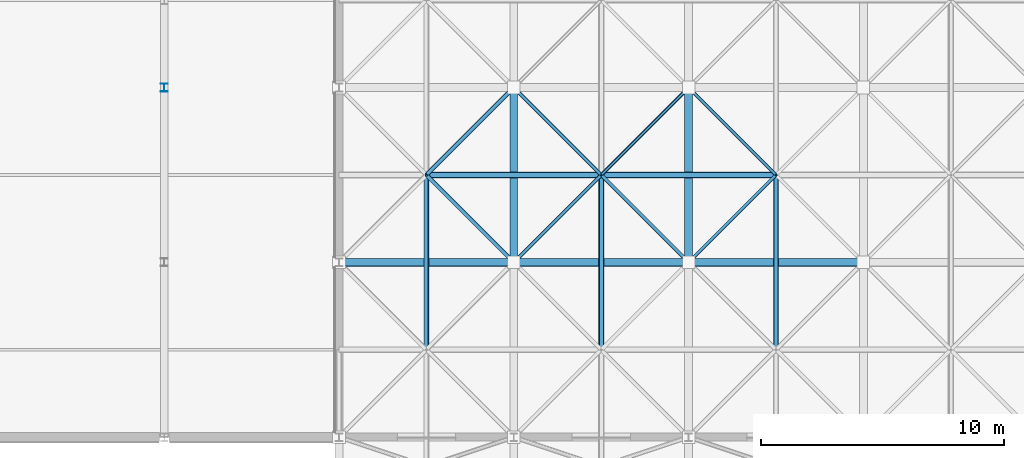
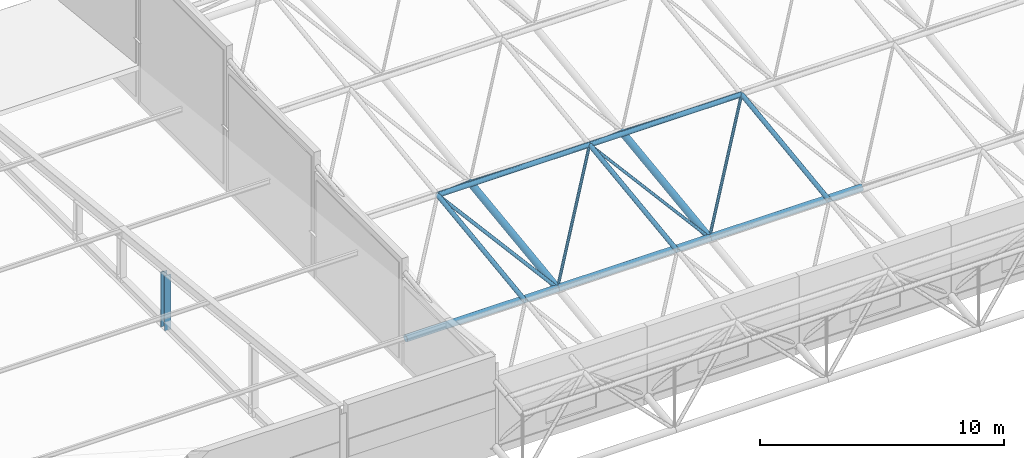
# One storey, part 34 of 103: 19 members.
"""IFC4 building model written with IfcOpenShell, lengths in metres."""

from ifc_helpers import new_model, si_unit, direction, frame, origin, origin_2d, place, context, subcontext, project, spatial, hollow_circle, i_section, extrude, material, material_profile, profile_set, type_object, element, save


model = new_model("IFC4")

# Units and contexts
model_context = context("Model", 3, precision=1e-05, world=origin(), true_north=direction((0.0, 1.0)))
body_context = subcontext(model_context, "Body", "Model", "MODEL_VIEW")
ifc_project = project(units=[si_unit("LENGTHUNIT", "METRE"), si_unit("AREAUNIT", "SQUARE_METRE"), si_unit("VOLUMEUNIT", "CUBIC_METRE"), si_unit("PLANEANGLEUNIT", "RADIAN"), si_unit("MASSUNIT", "GRAM", prefix="KILO")], contexts=[model_context])

# Site, building, storey
site_placement = place(None, origin())
site = spatial("IfcSite", under=ifc_project, at=site_placement, CompositionType="ELEMENT")
building_placement = place(site_placement, origin())
building = spatial("IfcBuilding", under=site, at=building_placement, Name="Thalmaran Polytechnic", CompositionType="ELEMENT")
storey_placement = place(building_placement, frame((0.0, 0.0, 14.39990234375)))
storey = spatial("IfcBuildingStorey", under=building, at=storey_placement, Name="L03", CompositionType="ELEMENT", Elevation=14.39990234375)

# Members
ifc_material = material(Name="Steel S355", Category="steel")
ifc_material_profile_1 = material_profile(ifc_material, hollow_circle(Radius=0.122314453125, WallThickness=0.010009765625, at=origin_2d()), Name="CHS 244.5x10.0")
ifc_profile_set_1 = profile_set([ifc_material_profile_1], Name="Steel S355")
member_type_1 = type_object("IfcMemberType", Name="MB-SFC1", PredefinedType="CHORD", material=ifc_profile_set_1)
for number, where, z_axis, x_axis, name in (
    (1, (111.60009765625, 10.800048828125, 5.072021484375), (1.0, 0.0, 0.0), (0.0, 1.0, 0.0), "Space-Frame Top Chord X (1,3)"),
    (2, (118.800048828125, 10.800048828125, 5.072021484375), (1.0, 0.0, 0.0), (0.0, 1.0, 0.0), "Space-Frame Top Chord X (2,3)"),
):
    element("IfcMember", number, at=place(storey_placement, frame(where, z_axis=z_axis, x_axis=x_axis)), inside=storey, type_object=member_type_1, Name=name, PredefinedType="CHORD", context=body_context, shape_type="SweptSolid", body=[
        extrude(hollow_circle(Radius=0.122314453125, WallThickness=0.010009765625, at=origin_2d()), origin(), (0.0, 0.0, 1.0), 7.199951171875),
    ])
ifc_material_profile_2 = material_profile(ifc_material, hollow_circle(Radius=0.109619140625, WallThickness=0.010009765625, at=origin_2d()), Name="CHS 219.1x10.0")
ifc_profile_set_2 = profile_set([ifc_material_profile_2], Name="Steel S355")
member_type_2 = type_object("IfcMemberType", Name="MB-SFC2", PredefinedType="CHORD", material=ifc_profile_set_2)
for number, where, z_axis, x_axis, name in (
    (3, (111.60009765625, 3.60009765625, 4.1240234375), (0.0, 0.991442963585, 0.130540606544), (-1.0, 0.0, 0.0), "Space-Frame Top Chord Y (1,2)"),
    (4, (118.800048828125, 3.60009765625, 4.1240234375), (0.0, 0.991442963585, 0.130540606544), (-1.0, 0.0, 0.0), "Space-Frame Top Chord Y (2,2)"),
    (5, (126.0, 3.60009765625, 4.1240234375), (0.0, 0.991442963585, 0.130540606544), (-1.0, 0.0, 0.0), "Space-Frame Top Chord Y (3,2)"),
):
    element("IfcMember", number, at=place(storey_placement, frame(where, z_axis=z_axis, x_axis=x_axis)), inside=storey, type_object=member_type_2, Name=name, PredefinedType="CHORD", context=body_context, shape_type="SweptSolid", body=[
        extrude(hollow_circle(Radius=0.109619140625, WallThickness=0.010009765625, at=origin_2d()), origin(), (0.0, 0.0, 1.0), 7.26220703125),
    ])
ifc_material_profile_3 = material_profile(ifc_material, hollow_circle(Radius=0.161865234375, WallThickness=0.012451171875, at=origin_2d()), Name="CHS 323.9x12.5")
ifc_profile_set_3 = profile_set([ifc_material_profile_3], Name="Steel S355")
member_type_3 = type_object("IfcMemberType", Name="MB-SFC4", PredefinedType="CHORD", material=ifc_profile_set_3)
for number, where, z_axis, x_axis, name in (
    (6, (108.0, 7.199951171875, 1.327880859375), (1.0, 0.0, 0.0), (0.0, 1.0, 0.0), "Space-Frame Bottom Chord X (0,2)"),
    (7, (115.199951171875, 7.199951171875, 1.327880859375), (1.0, 0.0, 0.0), (0.0, 1.0, 0.0), "Space-Frame Bottom Chord X (1,2)"),
):
    element("IfcMember", number, at=place(storey_placement, frame(where, z_axis=z_axis, x_axis=x_axis)), inside=storey, type_object=member_type_3, Name=name, PredefinedType="CHORD", context=body_context, shape_type="SweptSolid", body=[
        extrude(hollow_circle(Radius=0.161865234375, WallThickness=0.012451171875, at=origin_2d()), origin(), (0.0, 0.0, 1.0), 7.199951171875),
    ])
member_1_placement = place(storey_placement, frame((115.199951171875, 7.199951171875, 1.327880859375), z_axis=(0.0, 0.991442963585, 0.130540606544), x_axis=(-1.0, 0.0, 0.0)))
element("IfcMember", 8, at=member_1_placement, inside=storey, type_object=member_type_3, Name="Space-Frame Bottom Chord Y (1,2)", PredefinedType="CHORD", context=body_context, shape_type="SweptSolid", body=[
    extrude(hollow_circle(Radius=0.161865234375, WallThickness=0.012451171875, at=origin_2d()), origin(), (0.0, 0.0, 1.0), 7.26220703125),
])
member_2_placement = place(storey_placement, frame((122.39990234375, 7.199951171875, 1.327880859375), z_axis=(1.0, 0.0, 0.0), x_axis=(0.0, 1.0, 0.0)))
element("IfcMember", 9, at=member_2_placement, inside=storey, type_object=member_type_3, Name="Space-Frame Bottom Chord X (2,2)", PredefinedType="CHORD", context=body_context, shape_type="SweptSolid", body=[
    extrude(hollow_circle(Radius=0.161865234375, WallThickness=0.012451171875, at=origin_2d()), origin(), (0.0, 0.0, 1.0), 7.2001953125),
])
member_3_placement = place(storey_placement, frame((122.39990234375, 7.199951171875, 1.327880859375), z_axis=(0.0, 0.991442963585, 0.130540606544), x_axis=(-1.0, 0.0, 0.0)))
element("IfcMember", 10, at=member_3_placement, inside=storey, type_object=member_type_3, Name="Space-Frame Bottom Chord Y (2,2)", PredefinedType="CHORD", context=body_context, shape_type="SweptSolid", body=[
    extrude(hollow_circle(Radius=0.161865234375, WallThickness=0.012451171875, at=origin_2d()), origin(), (0.0, 0.0, 1.0), 7.26220703125),
])
ifc_material_profile_4 = material_profile(ifc_material, hollow_circle(Radius=0.084228515625, WallThickness=0.008056640625, at=origin_2d()), Name="CHS 168.3x8.0")
ifc_profile_set_4 = profile_set([ifc_material_profile_4], Name="Steel S355")
member_type_4 = type_object("IfcMemberType", Name="MB-SFD1", PredefinedType="BRACE", material=ifc_profile_set_4)
member_4_placement = place(storey_placement, frame((115.199951171875, 7.199951171875, 1.327880859375), z_axis=(-0.569626757247, 0.569665389106, 0.592458185768), x_axis=(-0.707130757816, -0.707082803744, 0.0)))
element("IfcMember", 11, at=member_4_placement, inside=storey, type_object=member_type_4, Name="Space-Frame Web Diagonal (0,2)-2", PredefinedType="BRACE", context=body_context, shape_type="SweptSolid", body=[
    extrude(hollow_circle(Radius=0.084228515625, WallThickness=0.008056640625, at=origin_2d()), origin(), (0.0, 0.0, 1.0), 6.319580078125),
])
member_5_placement = place(storey_placement, frame((115.199951171875, 14.39990234375, 2.27587890625), z_axis=(-0.619777888784, -0.619777888784, 0.481404961699), x_axis=(0.707106781187, -0.707106781187, 0.0)))
element("IfcMember", 12, at=member_5_placement, inside=storey, type_object=member_type_4, Name="Space-Frame Web Diagonal (0,2)-4", PredefinedType="BRACE", context=body_context, shape_type="SweptSolid", body=[
    extrude(hollow_circle(Radius=0.084228515625, WallThickness=0.008056640625, at=origin_2d()), origin(), (0.0, 0.0, 1.0), 5.808349609375),
])
ifc_material_profile_5 = material_profile(ifc_material, hollow_circle(Radius=0.06982421875, WallThickness=0.008056640625, at=origin_2d()), Name="CHS 139.7x8.0")
ifc_profile_set_5 = profile_set([ifc_material_profile_5], Name="Steel S355")
member_type_5 = type_object("IfcMemberType", Name="MB-SFD2", PredefinedType="BRACE", material=ifc_profile_set_5)
member_6_placement = place(storey_placement, frame((115.199951171875, 7.199951171875, 1.327880859375), z_axis=(0.569652853186, 0.569652853186, 0.592445148275), x_axis=(-0.707106781187, 0.707106781187, 0.0)))
element("IfcMember", 13, at=member_6_placement, inside=storey, type_object=member_type_5, Name="Space-Frame Web Diagonal (1,2)-1", PredefinedType="BRACE", context=body_context, shape_type="SweptSolid", body=[
    extrude(hollow_circle(Radius=0.06982421875, WallThickness=0.008056640625, at=origin_2d()), origin(), (0.0, 0.0, 1.0), 6.31982421875),
])
member_7_placement = place(storey_placement, frame((122.39990234375, 7.199951171875, 1.327880859375), z_axis=(-0.569626757247, 0.569665389106, 0.592458185768), x_axis=(-0.707130757816, -0.707082803744, 0.0)))
element("IfcMember", 14, at=member_7_placement, inside=storey, type_object=member_type_5, Name="Space-Frame Web Diagonal (1,2)-2", PredefinedType="BRACE", context=body_context, shape_type="SweptSolid", body=[
    extrude(hollow_circle(Radius=0.06982421875, WallThickness=0.008056640625, at=origin_2d()), origin(), (0.0, 0.0, 1.0), 6.319580078125),
])
for number, where, z_axis, x_axis, name in (
    (15, (115.199951171875, 14.39990234375, 2.27587890625), (0.619803774917, -0.619761742923, 0.481392420597), (0.707082803744, 0.707130757816, 0.0), "Space-Frame Web Diagonal (1,2)-3"),
    (16, (122.39990234375, 14.39990234375, 2.27587890625), (-0.619777888784, -0.619777888784, 0.481404961699), (0.707106781187, -0.707106781187, 0.0), "Space-Frame Web Diagonal (1,2)-4"),
):
    element("IfcMember", number, at=place(storey_placement, frame(where, z_axis=z_axis, x_axis=x_axis)), inside=storey, type_object=member_type_5, Name=name, PredefinedType="BRACE", context=body_context, shape_type="SweptSolid", body=[
        extrude(hollow_circle(Radius=0.06982421875, WallThickness=0.008056640625, at=origin_2d()), origin(), (0.0, 0.0, 1.0), 5.808349609375),
    ])
member_8_placement = place(storey_placement, frame((122.39990234375, 7.199951171875, 1.327880859375), z_axis=(0.569652853186, 0.569652853186, 0.592445148275), x_axis=(-0.707106781187, 0.707106781187, 0.0)))
element("IfcMember", 17, at=member_8_placement, inside=storey, type_object=member_type_5, Name="Space-Frame Web Diagonal (2,2)-1", PredefinedType="BRACE", context=body_context, shape_type="SweptSolid", body=[
    extrude(hollow_circle(Radius=0.06982421875, WallThickness=0.008056640625, at=origin_2d()), origin(), (0.0, 0.0, 1.0), 6.31982421875),
])
member_9_placement = place(storey_placement, frame((122.39990234375, 14.39990234375, 2.27587890625), z_axis=(0.619803774917, -0.619761742923, 0.481392420597), x_axis=(0.707082803744, 0.707130757816, 0.0)))
element("IfcMember", 18, at=member_9_placement, inside=storey, type_object=member_type_5, Name="Space-Frame Web Diagonal (2,2)-3", PredefinedType="BRACE", context=body_context, shape_type="SweptSolid", body=[
    extrude(hollow_circle(Radius=0.06982421875, WallThickness=0.008056640625, at=origin_2d()), origin(), (0.0, 0.0, 1.0), 5.808349609375),
])
ifc_material_profile_6 = material_profile(ifc_material, i_section(OverallWidth=0.300048828125, OverallDepth=0.330078125, WebThickness=0.009521484375, FlangeThickness=0.0166015625, at=origin_2d()), Name="HEA 340")
ifc_profile_set_6 = profile_set([ifc_material_profile_6], Name="Steel S355")
member_type_6 = type_object("IfcMemberType", Name="MB-TRS1", PredefinedType="STRUT", material=ifc_profile_set_6)
member_10_placement = place(storey_placement, frame((100.800048828125, 14.39990234375, 0.0), z_axis=(0.0, 0.0, 1.0), x_axis=(1.0, 0.0, 0.0)))
element("IfcMember", 19, at=member_10_placement, inside=storey, type_object=member_type_6, Name="Lecture Truss Web Strut G14-14", PredefinedType="STRUT", context=body_context, shape_type="SweptSolid", body=[
    extrude(i_section(OverallWidth=0.300048828125, OverallDepth=0.330078125, WebThickness=0.009521484375, FlangeThickness=0.0166015625, at=origin_2d()), origin(), (0.0, 0.0, 1.0), 2.760009765625),
])

save(model, "model.ifc")
